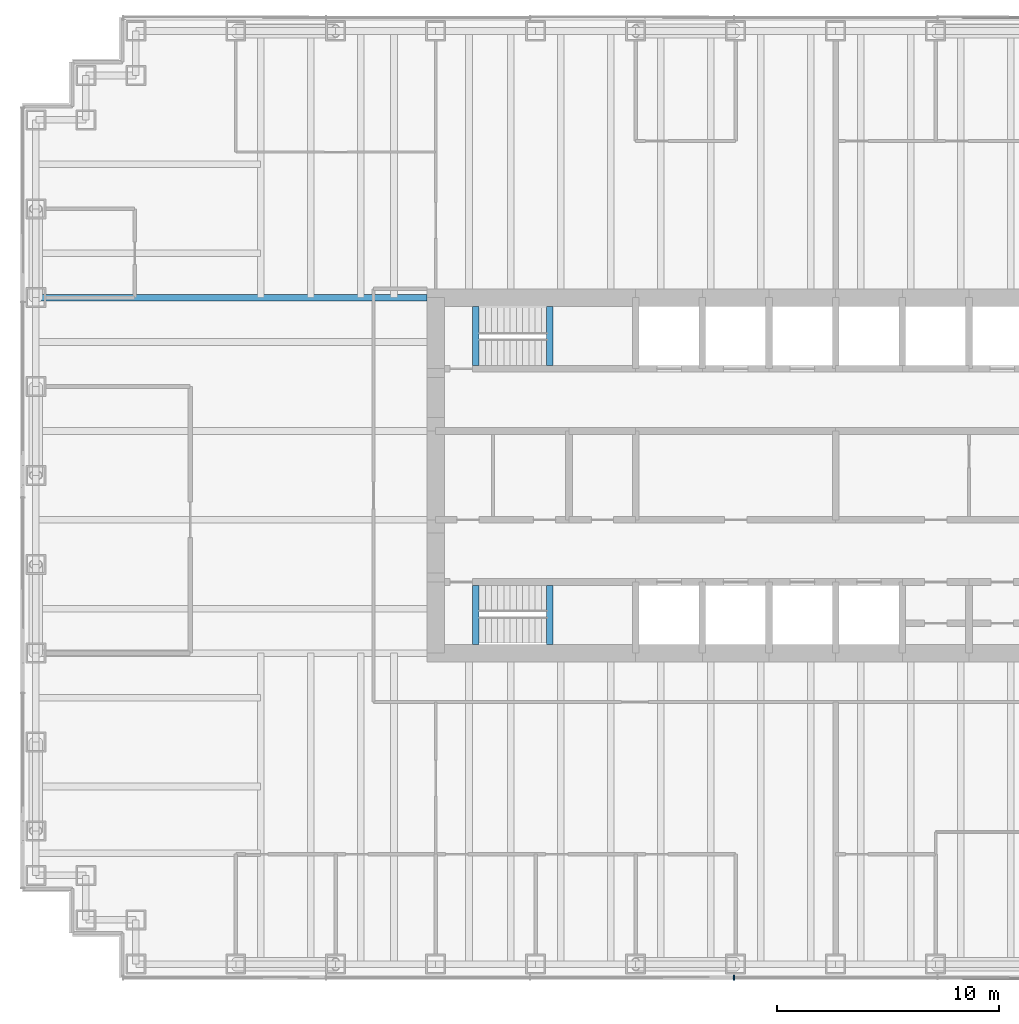
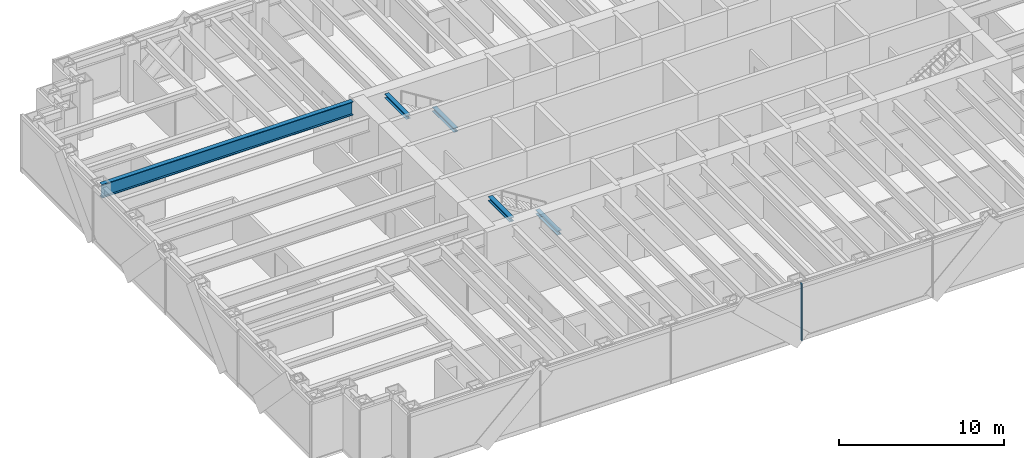
# One storey, part 3 of 15: 5 beams, 1 member, 1 element without a shape of its own.
"""IFC4 building model written with IfcOpenShell, lengths in metres."""

from ifc_helpers import new_model, si_unit, direction, frame, origin, origin_2d, place, context, subcontext, project, spatial, rectangle, i_section, extrude, material, material_profile, profile_set, type_object, element, aggregate, save


model = new_model("IFC4")

# Units and contexts
model_context = context("Model", 3, precision=1e-05, world=origin(), true_north=direction((0.0, 1.0)))
body_context = subcontext(model_context, "Body", "Model", "MODEL_VIEW")
ifc_project = project(units=[si_unit("LENGTHUNIT", "METRE"), si_unit("AREAUNIT", "SQUARE_METRE"), si_unit("VOLUMEUNIT", "CUBIC_METRE"), si_unit("PLANEANGLEUNIT", "RADIAN"), si_unit("MASSUNIT", "GRAM", prefix="KILO")], contexts=[model_context])

# Site, building, storey
site_placement = place(None, origin())
site = spatial("IfcSite", under=ifc_project, at=site_placement, CompositionType="ELEMENT")
building_placement = place(site_placement, origin())
building = spatial("IfcBuilding", under=site, at=building_placement, Name="Rheinbord Bourse Tower", CompositionType="ELEMENT")
storey_placement = place(building_placement, frame((0.0, 0.0, 248.800048828125)))
storey = spatial("IfcBuildingStorey", under=building, at=storey_placement, Name="L56", CompositionType="ELEMENT", Elevation=248.800048828125)

# Curtain wall, member
ifc_material_1 = material(Name="Dark glass and black aluminium", Category="aluminium")
curtain_wall_type = type_object("IfcCurtainWallType", Name="CW2 DARK GLASS CURTAIN WALL", PredefinedType="USERDEFINED", material=ifc_material_1)
curtain_wall_placement = place(storey_placement, origin())
curtain_wall = element("IfcCurtainWall", 1, at=curtain_wall_placement, inside=storey, type_object=curtain_wall_type, Name="Curtain wall CW2 S L56", ObjectType="UNITISED CURTAIN WALL", PredefinedType="USERDEFINED")
ifc_material_2 = material(Name="Black anodised aluminium", Category="aluminium")
ifc_material_profile_1 = material_profile(ifc_material_2, rectangle(XDim=0.219970703125, YDim=0.070068359375, at=origin_2d()), Name="CW2 MULLION 70x220")
ifc_profile_set_1 = profile_set([ifc_material_profile_1], Name="Black anodised aluminium")
member_type = type_object("IfcMemberType", Name="CW2 BLACK MULLION", PredefinedType="MULLION", material=ifc_profile_set_1)
member_placement = place(storey_placement, frame((31.414306640625, 1.39990234375, 0.0), z_axis=(0.0, 0.0, 1.0), x_axis=(0.0, 1.0, 0.0)))
member = element("IfcMember", 2, at=member_placement, type_object=member_type, Name="CW2 mullion 4", PredefinedType="MULLION", context=body_context, shape_type="SweptSolid", body=[
    extrude(rectangle(XDim=0.219970703125, YDim=0.070068359375, at=origin_2d()), origin(), (0.0, 0.0, 1.0), 4.199951171875),
])
aggregate(curtain_wall, [member])

# Beams
ifc_material_3 = material(Name="Steel S460", Category="steel")
ifc_material_profile_2 = material_profile(ifc_material_3, i_section(OverallWidth=0.302001953125, OverallDepth=1.008056640625, WebThickness=0.02099609375, FlangeThickness=0.0400390625, at=origin_2d()), Name="HEM 1000")
ifc_profile_set_2 = profile_set([ifc_material_profile_2], Name="Steel S460")
beam_type_1 = type_object("IfcBeamType", Name="GIRDER HEM 1000", PredefinedType="BEAM", material=ifc_profile_set_2)
beam_placement = place(storey_placement, frame((0.0, 32.0, 3.535888671875), z_axis=(1.0, 0.0, 0.0), x_axis=(0.0, 1.0, 0.0)))
element("IfcBeam", 3, at=beam_placement, inside=storey, type_object=beam_type_1, Name="Girder west 32 L57", PredefinedType="BEAM", context=body_context, shape_type="SweptSolid", body=[
    extrude(i_section(OverallWidth=0.302001953125, OverallDepth=1.008056640625, WebThickness=0.02099609375, FlangeThickness=0.0400390625, at=origin_2d()), origin(), (0.0, 0.0, 1.0), 17.60009765625),
])
ifc_material_4 = material(Name="Steel S460", Category="steel")
ifc_material_profile_3 = material_profile(ifc_material_4, i_section(OverallWidth=0.300048828125, OverallDepth=0.300048828125, WebThickness=0.010986328125, FlangeThickness=0.01904296875, at=origin_2d()), Name="HEB 300")
ifc_profile_set_3 = profile_set([ifc_material_profile_3], Name="Steel S460")
beam_type_2 = type_object("IfcBeamType", Name="LANDING TRIMMER HEB 300", PredefinedType="BEAM", material=ifc_profile_set_3)
for number, where, z_axis, x_axis, name in (
    (4, (23.1298828125, 16.39990234375, 1.75), (0.0, 1.0, 0.0), (-1.0, 0.0, 0.0), "Landing trimmer ST1 L56"),
    (5, (19.800048828125, 16.39990234375, 3.889892578125), (0.0, 1.0, 0.0), (-1.0, 0.0, 0.0), "Well trimmer ST1 under L57"),
    (6, (23.1298828125, 28.949951171875, 1.75), (0.0, 1.0, 0.0), (-1.0, 0.0, 0.0), "Landing trimmer ST2 L56"),
    (7, (19.800048828125, 28.949951171875, 3.889892578125), (0.0, 1.0, 0.0), (-1.0, 0.0, 0.0), "Well trimmer ST2 under L57"),
):
    element("IfcBeam", number, at=place(storey_placement, frame(where, z_axis=z_axis, x_axis=x_axis)), inside=storey, type_object=beam_type_2, Name=name, PredefinedType="BEAM", context=body_context, shape_type="SweptSolid", body=[
        extrude(i_section(OverallWidth=0.300048828125, OverallDepth=0.300048828125, WebThickness=0.010986328125, FlangeThickness=0.01904296875, at=origin_2d()), origin(), (0.0, 0.0, 1.0), 2.650146484375),
    ])

save(model, "model.ifc")
